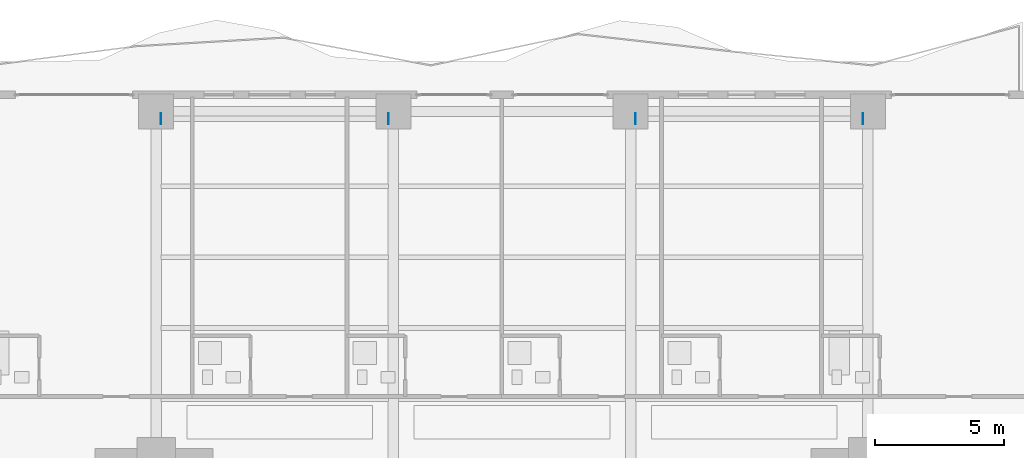
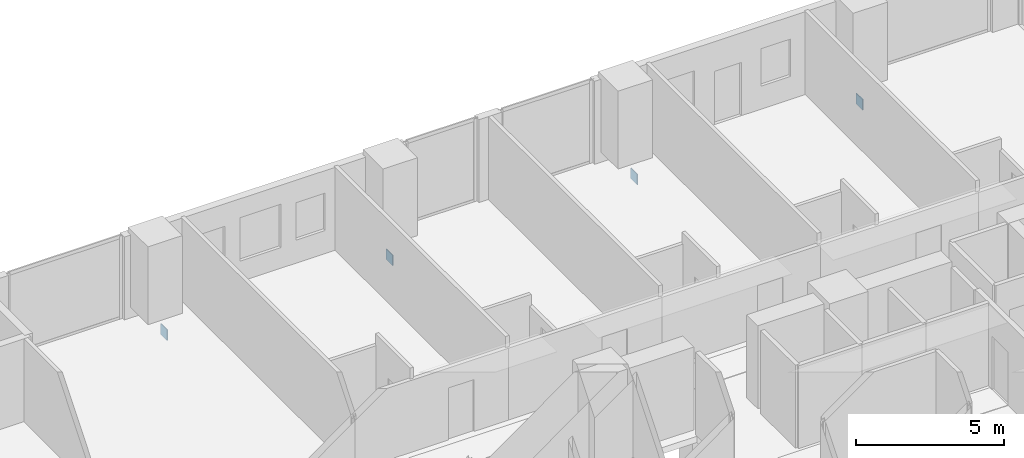
# One storey, part 20 of 29: 4 plates.
"""IFC4 building model written with IfcOpenShell, lengths in metres."""

from ifc_helpers import new_model, si_unit, direction, frame, origin, origin_2d, place, context, subcontext, project, spatial, rectangle, extrude, material, layer, layer_set, type_object, element, save


model = new_model("IFC4")

# Units and contexts
model_context = context("Model", 3, precision=1e-05, world=origin(), true_north=direction((0.0, 1.0)))
body_context = subcontext(model_context, "Body", "Model", "MODEL_VIEW")
ifc_project = project(units=[si_unit("LENGTHUNIT", "METRE"), si_unit("AREAUNIT", "SQUARE_METRE"), si_unit("VOLUMEUNIT", "CUBIC_METRE"), si_unit("PLANEANGLEUNIT", "RADIAN"), si_unit("MASSUNIT", "GRAM", prefix="KILO")], contexts=[model_context])

# Site, building, storey
site_placement = place(None, origin())
site = spatial("IfcSite", under=ifc_project, at=site_placement, CompositionType="ELEMENT")
building_placement = place(site_placement, origin())
building = spatial("IfcBuilding", under=site, at=building_placement, Name="Zuhayl Quay Hotel", CompositionType="ELEMENT")
storey_placement = place(building_placement, frame((0.0, 0.0, 95.64990234375)))
storey = spatial("IfcBuildingStorey", under=building, at=storey_placement, Name="L23", CompositionType="ELEMENT", Elevation=95.64990234375)

# Plates
ifc_material = material(Name="Steel ASTM A572 Grade 50", Category="steel")
ifc_layer = layer(ifc_material, 0.030029296875, Name="Steel ASTM A572 Grade 50", Category="steel")
ifc_layer_set = layer_set([ifc_layer], Name="Steel ASTM A572 Grade 50")
plate_type = type_object("IfcPlateType", Name="TP_CAP_PLATE_30", PredefinedType="USERDEFINED", material=ifc_layer_set)
for number, where, z_axis, x_axis, name in (
    (1, (-13.612060546875, 27.469970703125, -0.6298828125), (0.0, 0.0, 1.0), (-1.0, 0.0, 0.0), "Truss Node Cap Assembly KN2"),
    (2, (-4.7880859375, 27.469970703125, -0.6298828125), (0.0, 0.0, 1.0), (1.0, 0.0, 0.0), "Truss Node Cap Assembly KN2"),
    (3, (4.7880859375, 27.469970703125, -0.6298828125), (0.0, 0.0, 1.0), (-1.0, 0.0, 0.0), "Truss Node Cap Assembly KN2"),
    (4, (13.612060546875, 27.469970703125, -0.6298828125), (0.0, 0.0, 1.0), (1.0, 0.0, 0.0), "Truss Node Cap Assembly KN2"),
):
    element("IfcPlate", number, at=place(storey_placement, frame(where, z_axis=z_axis, x_axis=x_axis)), inside=storey, type_object=plate_type, Name=name, ObjectType="GUSSET PLATE", PredefinedType="USERDEFINED", context=body_context, shape_type="SweptSolid", body=[
        extrude(rectangle(XDim=0.030029296875, YDim=0.43994140625, at=origin_2d()), origin(), (0.0, 0.0, 1.0), 0.43994140625),
    ])

save(model, "model.ifc")
